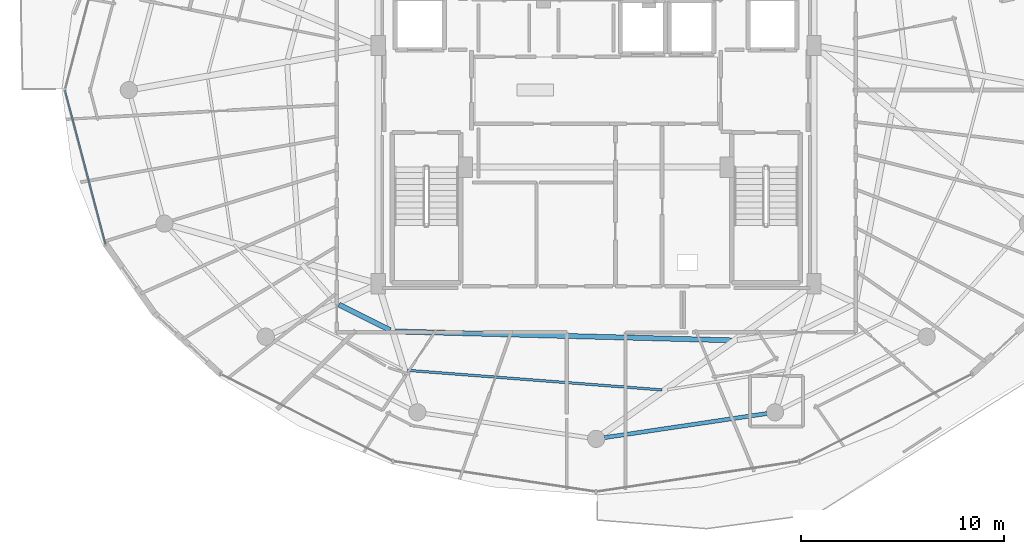
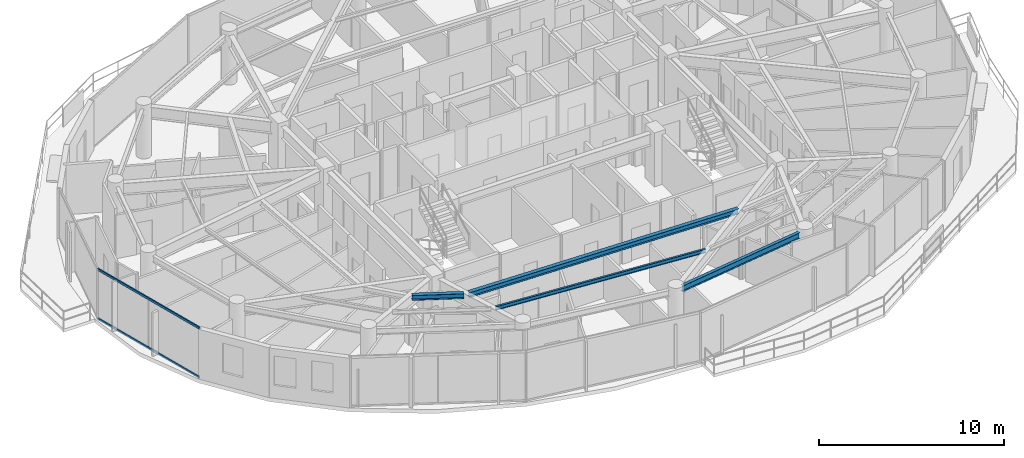
# One storey, part 5 of 29: 4 beams, 2 members, 1 element without a shape of its own.
"""IFC4 building model written with IfcOpenShell, lengths in metres."""

from ifc_helpers import new_model, si_unit, direction, frame, origin, origin_2d, place, context, subcontext, project, spatial, hollow_rectangle, i_section, extrude, material, material_profile, profile_set, type_object, element, aggregate, save


model = new_model("IFC4")

# Units and contexts
model_context = context("Model", 3, precision=1e-05, world=origin(), true_north=direction((0.0, 1.0)))
body_context = subcontext(model_context, "Body", "Model", "MODEL_VIEW")
ifc_project = project(units=[si_unit("LENGTHUNIT", "METRE"), si_unit("AREAUNIT", "SQUARE_METRE"), si_unit("VOLUMEUNIT", "CUBIC_METRE"), si_unit("PLANEANGLEUNIT", "RADIAN"), si_unit("MASSUNIT", "GRAM", prefix="KILO")], contexts=[model_context])

# Site, building, storey
site_placement = place(None, origin())
site = spatial("IfcSite", under=ifc_project, at=site_placement, CompositionType="ELEMENT")
building_placement = place(site_placement, origin())
building = spatial("IfcBuilding", under=site, at=building_placement, Name="Vorneva Point Tower", CompositionType="ELEMENT")
storey_placement = place(building_placement, frame((0.0, 0.0, 259.10009765625)))
storey = spatial("IfcBuildingStorey", under=building, at=storey_placement, Name="L70", CompositionType="ELEMENT", Elevation=259.10009765625)

# Beams
ifc_material_1 = material(Name="Steel S355", Category="steel")
ifc_material_profile_1 = material_profile(ifc_material_1, i_section(OverallWidth=0.1240234375, OverallDepth=0.248046875, WebThickness=0.0048828125, FlangeThickness=0.008056640625, at=origin_2d()), Name="25B1")
ifc_profile_set_1 = profile_set([ifc_material_profile_1], Name="Steel S355")
beam_type_1 = type_object("IfcBeamType", Name="BM-JST-25B1", PredefinedType="JOIST", material=ifc_profile_set_1)
beam_1_placement = place(storey_placement, frame((28.68359375, 12.179931640625, 3.166015625), z_axis=(0.997054827602, -0.076692051447, 0.0), x_axis=(0.076692051447, 0.997054827602, 0.0)))
element("IfcBeam", 1, at=beam_1_placement, inside=storey, type_object=beam_type_1, Name="L70 Secondary Floor Beam 1.12", PredefinedType="JOIST", context=body_context, shape_type="SweptSolid", body=[
    extrude(i_section(OverallWidth=0.1240234375, OverallDepth=0.248046875, WebThickness=0.0048828125, FlangeThickness=0.008056640625, at=origin_2d()), origin(), (0.0, 0.0, 1.0), 12.593505859375),
])
ifc_material_profile_2 = material_profile(ifc_material_1, i_section(OverallWidth=0.2490234375, OverallDepth=0.333984375, WebThickness=0.008056640625, FlangeThickness=0.010986328125, at=origin_2d()), Name="35Sh1")
ifc_profile_set_2 = profile_set([ifc_material_profile_2], Name="Steel S355")
beam_type_2 = type_object("IfcBeamType", Name="BM-SEC-35Sh1", PredefinedType="BEAM", material=ifc_profile_set_2)
beam_2_placement = place(storey_placement, frame((25.313720703125, 15.418701171875, 3.122802734375), z_axis=(0.895531752864, -0.444997617536, 0.0), x_axis=(0.444997617536, 0.895531752864, 0.0)))
element("IfcBeam", 2, at=beam_2_placement, inside=storey, type_object=beam_type_2, Name="L70 Secondary Floor Beam 2.11", PredefinedType="BEAM", context=body_context, shape_type="SweptSolid", body=[
    extrude(i_section(OverallWidth=0.2490234375, OverallDepth=0.333984375, WebThickness=0.008056640625, FlangeThickness=0.010986328125, at=origin_2d()), origin(), (0.0, 0.0, 1.0), 2.822265625),
])
beam_3_placement = place(storey_placement, frame((28.1025390625, 14.09765625, 3.122802734375), z_axis=(0.999651399145, -0.026402276188, 0.0), x_axis=(0.026402276188, 0.999651399145, 0.0)))
element("IfcBeam", 3, at=beam_3_placement, inside=storey, type_object=beam_type_2, Name="L70 Secondary Floor Beam 2.12", PredefinedType="BEAM", context=body_context, shape_type="SweptSolid", body=[
    extrude(i_section(OverallWidth=0.2490234375, OverallDepth=0.333984375, WebThickness=0.008056640625, FlangeThickness=0.010986328125, at=origin_2d()), origin(), (0.0, 0.0, 1.0), 16.589111328125),
])
ifc_material_profile_3 = material_profile(ifc_material_1, i_section(OverallWidth=0.198974609375, OverallDepth=0.39599609375, WebThickness=0.007080078125, FlangeThickness=0.010986328125, at=origin_2d()), Name="40B1")
ifc_profile_set_3 = profile_set([ifc_material_profile_3], Name="Steel S355")
beam_type_3 = type_object("IfcBeamType", Name="BM-SPN-40B1", PredefinedType="SPANDREL", material=ifc_profile_set_3)
beam_4_placement = place(storey_placement, frame((38.405517578125, 8.860107421875, 3.091796875), z_axis=(0.989161657331, 0.146830567886, 0.0), x_axis=(-0.146830567886, 0.989161657331, 0.0)))
element("IfcBeam", 4, at=beam_4_placement, inside=storey, type_object=beam_type_3, Name="L70 Perimeter Spandrel Ring Beam 13", PredefinedType="SPANDREL", context=body_context, shape_type="SweptSolid", body=[
    extrude(i_section(OverallWidth=0.198974609375, OverallDepth=0.39599609375, WebThickness=0.007080078125, FlangeThickness=0.010986328125, at=origin_2d()), origin(), (0.0, 0.0, 1.0), 8.097412109375),
])

# Curtain wall, members
ifc_material_2 = material(Name="Pale anodised aluminium", Category="aluminium")
curtain_wall_type = type_object("IfcCurtainWallType", Name="CW-RES-SYS", PredefinedType="NOTDEFINED", material=ifc_material_2)
curtain_wall_placement = place(storey_placement, origin())
curtain_wall = element("IfcCurtainWall", 5, at=curtain_wall_placement, inside=storey, type_object=curtain_wall_type, Name="L70 Unitised Curtain Wall CW-L70-R03", PredefinedType="NOTDEFINED")
ifc_material_profile_4 = material_profile(ifc_material_2, hollow_rectangle(XDim=0.074951171875, YDim=0.14990234375, WallThickness=0.00390625, at=origin_2d()), Name="AL-TRN 150x75x4")
ifc_profile_set_4 = profile_set([ifc_material_profile_4], Name="Pale anodised aluminium")
member_type = type_object("IfcMemberType", Name="CW-TRN-150", PredefinedType="USERDEFINED", material=ifc_profile_set_4)
member_1_placement = place(storey_placement, frame((11.800048828125, 26.0, 0.02001953125), z_axis=(0.254418180926, -0.967094302131, 0.0), x_axis=(0.967094302131, 0.254418180926, 0.0)))
member_1 = element("IfcMember", 6, at=member_1_placement, type_object=member_type, Name="CW-L70-R03 Transom 02.1", ObjectType="TRANSOM", PredefinedType="USERDEFINED", context=body_context, shape_type="SweptSolid", body=[
    extrude(hollow_rectangle(XDim=0.074951171875, YDim=0.14990234375, WallThickness=0.00390625, at=origin_2d()), origin(), (0.0, 0.0, 1.0), 7.839111328125),
])
member_2_placement = place(storey_placement, frame((11.800048828125, 26.0, 3.27001953125), z_axis=(0.254418180926, -0.967094302131, 0.0), x_axis=(0.967094302131, 0.254418180926, 0.0)))
member_2 = element("IfcMember", 7, at=member_2_placement, type_object=member_type, Name="CW-L70-R03 Transom 02.2", ObjectType="TRANSOM", PredefinedType="USERDEFINED", context=body_context, shape_type="SweptSolid", body=[
    extrude(hollow_rectangle(XDim=0.074951171875, YDim=0.14990234375, WallThickness=0.00390625, at=origin_2d()), origin(), (0.0, 0.0, 1.0), 7.839111328125),
])
aggregate(curtain_wall, [member_1, member_2])

save(model, "model.ifc")
